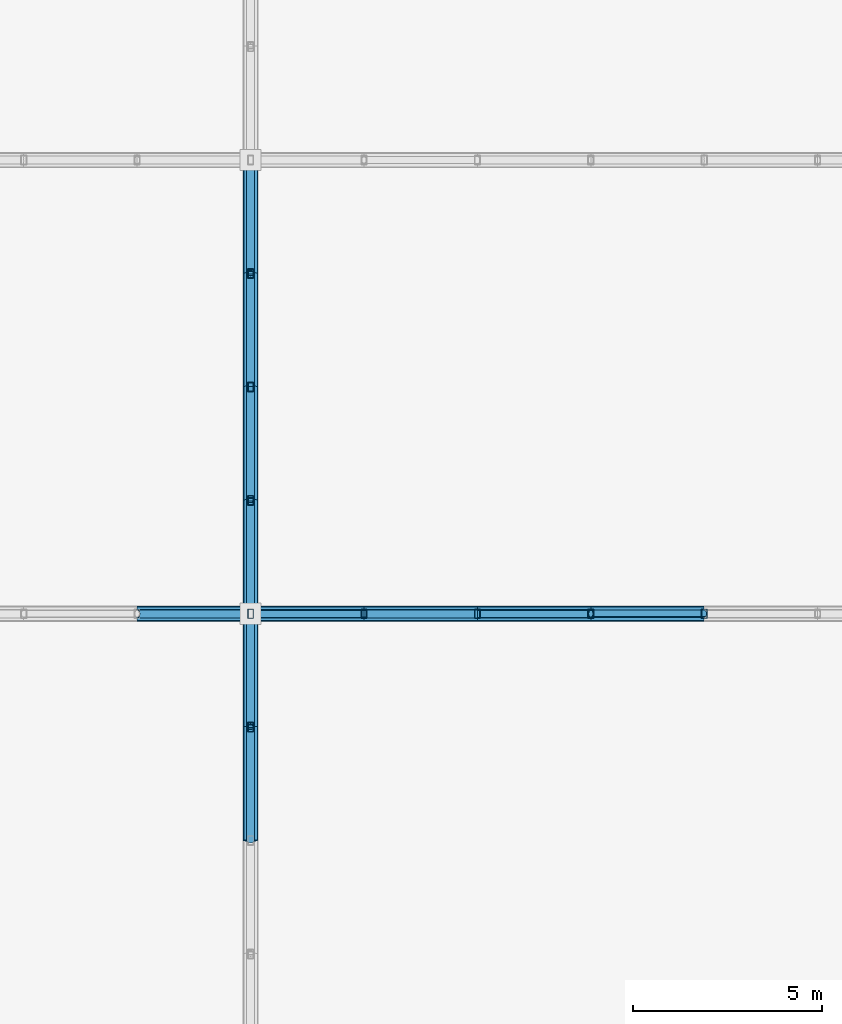
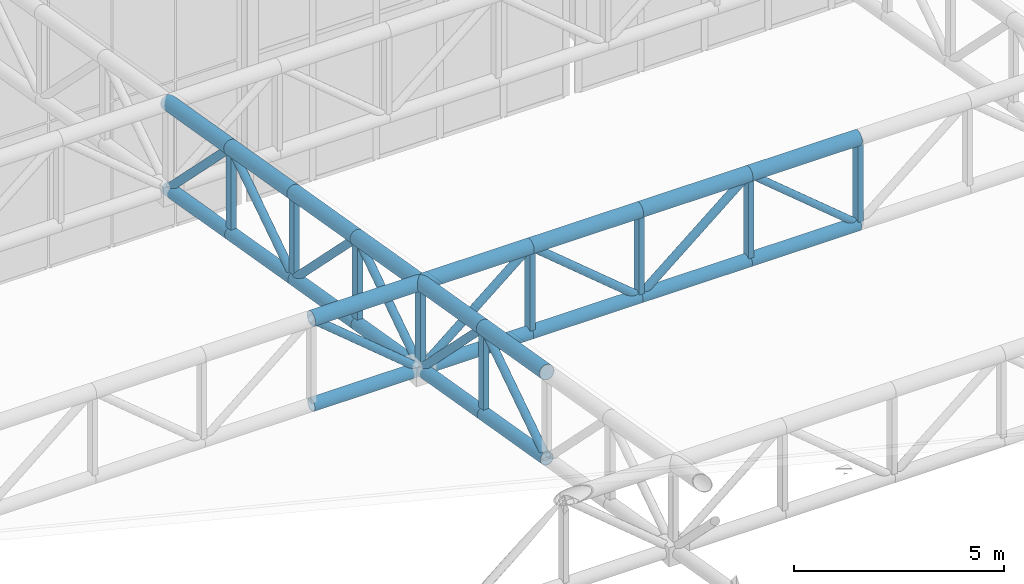
# One storey, part 99 of 239: 42 members.
"""IFC4 building model written with IfcOpenShell, lengths in metres."""

from ifc_helpers import new_model, si_unit, direction, frame, origin, origin_2d, place, context, subcontext, project, spatial, hollow_rectangle, hollow_circle, extrude, material, material_profile, profile_set, type_object, element, save


model = new_model("IFC4")

# Units and contexts
model_context = context("Model", 3, precision=1e-05, world=origin(), true_north=direction((0.0, 1.0)))
body_context = subcontext(model_context, "Body", "Model", "MODEL_VIEW")
ifc_project = project(units=[si_unit("LENGTHUNIT", "METRE"), si_unit("AREAUNIT", "SQUARE_METRE"), si_unit("VOLUMEUNIT", "CUBIC_METRE"), si_unit("PLANEANGLEUNIT", "RADIAN"), si_unit("MASSUNIT", "GRAM", prefix="KILO")], contexts=[model_context])

# Site, building, storey
site_placement = place(None, origin())
site = spatial("IfcSite", under=ifc_project, at=site_placement, CompositionType="ELEMENT")
building_placement = place(site_placement, origin())
building = spatial("IfcBuilding", under=site, at=building_placement, Name="Kaldris Quays Convention Centre", CompositionType="ELEMENT")
storey_placement = place(building_placement, frame((0.0, 0.0, 11.39990234375)))
storey = spatial("IfcBuildingStorey", under=building, at=storey_placement, Name="L02", CompositionType="ELEMENT", Elevation=11.39990234375)

# Members
ifc_material = material(Name="Steel S355J2H", Category="steel")
ifc_material_profile_1 = material_profile(ifc_material, hollow_circle(Radius=0.203125, WallThickness=0.01611328125, at=origin_2d()), Name="CHS 406.4x16")
ifc_profile_set_1 = profile_set([ifc_material_profile_1], Name="Steel S355J2H")
member_type_1 = type_object("IfcMemberType", Name="STRUCTURAL MEMBER SC01", PredefinedType="CHORD", material=ifc_profile_set_1)
for number, where, z_axis, x_axis, name in (
    (1, (35.0, 116.0, 13.7861328125), (1.0, 0.0, 0.0), (0.0, 1.0, 0.0), "SF-V1 Top Chord X 216"),
    (2, (38.0, 116.0, 13.7861328125), (1.0, 0.0, 0.0), (0.0, 1.0, 0.0), "SF-V1 Top Chord X 217"),
    (3, (41.0, 116.0, 13.7861328125), (1.0, 0.0, 0.0), (0.0, 1.0, 0.0), "SF-V1 Top Chord X 218"),
    (4, (44.0, 116.0, 13.7861328125), (1.0, 0.0, 0.0), (0.0, 1.0, 0.0), "SF-V1 Top Chord X 219"),
    (5, (47.0, 116.0, 13.7861328125), (1.0, 0.0, 0.0), (0.0, 1.0, 0.0), "SF-V1 Top Chord X 220"),
):
    element("IfcMember", number, at=place(storey_placement, frame(where, z_axis=z_axis, x_axis=x_axis)), inside=storey, type_object=member_type_1, Name=name, PredefinedType="CHORD", context=body_context, shape_type="SweptSolid", body=[
        extrude(hollow_circle(Radius=0.203125, WallThickness=0.01611328125, at=origin_2d()), origin(), (0.0, 0.0, 1.0), 3.0),
    ])
for number, where, z_axis, x_axis, name in (
    (6, (38.0, 110.0, 14.814697265625), (0.0, 0.98562912375, -0.168923741424), (-1.0, 0.0, 0.0), "SF-V1 Top Chord Y 383"),
    (7, (38.0, 113.0, 14.300537109375), (0.0, 0.985615766076, -0.169001661712), (-1.0, 0.0, 0.0), "SF-V1 Top Chord Y 384"),
    (8, (38.0, 116.0, 13.7861328125), (0.0, 0.98562912375, -0.168923741424), (-1.0, 0.0, 0.0), "SF-V1 Top Chord Y 385"),
    (9, (38.0, 119.0, 13.27197265625), (0.0, 0.985615766076, -0.169001661712), (-1.0, 0.0, 0.0), "SF-V1 Top Chord Y 386"),
    (10, (38.0, 122.0, 12.757568359375), (0.0, 0.98562912375, -0.168923741424), (-1.0, 0.0, 0.0), "SF-V1 Top Chord Y 387"),
    (11, (38.0, 125.0, 12.243408203125), (0.0, 0.985615766076, -0.169001661712), (-1.0, 0.0, 0.0), "SF-V1 Top Chord Y 388"),
):
    element("IfcMember", number, at=place(storey_placement, frame(where, z_axis=z_axis, x_axis=x_axis)), inside=storey, type_object=member_type_1, Name=name, PredefinedType="CHORD", context=body_context, shape_type="SweptSolid", body=[
        extrude(hollow_circle(Radius=0.203125, WallThickness=0.01611328125, at=origin_2d()), origin(), (0.0, 0.0, 1.0), 3.043701171875),
    ])
ifc_material_profile_2 = material_profile(ifc_material, hollow_circle(Radius=0.177734375, WallThickness=0.01611328125, at=origin_2d()), Name="CHS 355.6x16")
ifc_profile_set_2 = profile_set([ifc_material_profile_2], Name="Steel S355J2H")
member_type_2 = type_object("IfcMemberType", Name="STRUCTURAL MEMBER SC02", PredefinedType="CHORD", material=ifc_profile_set_2)
for number, where, z_axis, x_axis, name in (
    (12, (35.0, 116.0, 11.2861328125), (1.0, 0.0, 0.0), (0.0, 1.0, 0.0), "SF-V1 Bottom Chord X 216"),
    (13, (38.0, 116.0, 11.2861328125), (1.0, 0.0, 0.0), (0.0, 1.0, 0.0), "SF-V1 Bottom Chord X 217"),
    (14, (41.0, 116.0, 11.2861328125), (1.0, 0.0, 0.0), (0.0, 1.0, 0.0), "SF-V1 Bottom Chord X 218"),
    (15, (44.0, 116.0, 11.2861328125), (1.0, 0.0, 0.0), (0.0, 1.0, 0.0), "SF-V1 Bottom Chord X 219"),
    (16, (47.0, 116.0, 11.2861328125), (1.0, 0.0, 0.0), (0.0, 1.0, 0.0), "SF-V1 Bottom Chord X 220"),
):
    element("IfcMember", number, at=place(storey_placement, frame(where, z_axis=z_axis, x_axis=x_axis)), inside=storey, type_object=member_type_2, Name=name, PredefinedType="CHORD", context=body_context, shape_type="SweptSolid", body=[
        extrude(hollow_circle(Radius=0.177734375, WallThickness=0.01611328125, at=origin_2d()), origin(), (0.0, 0.0, 1.0), 3.0),
    ])
for number, where, z_axis, x_axis, name in (
    (17, (38.0, 110.0, 12.314697265625), (0.0, 0.98562912375, -0.168923741424), (-1.0, 0.0, 0.0), "SF-V1 Bottom Chord Y 383"),
    (18, (38.0, 113.0, 11.800537109375), (0.0, 0.985615766076, -0.169001661712), (-1.0, 0.0, 0.0), "SF-V1 Bottom Chord Y 384"),
    (19, (38.0, 116.0, 11.2861328125), (0.0, 0.98562912375, -0.168923741424), (-1.0, 0.0, 0.0), "SF-V1 Bottom Chord Y 385"),
    (20, (38.0, 119.0, 10.77197265625), (0.0, 0.985615766076, -0.169001661712), (-1.0, 0.0, 0.0), "SF-V1 Bottom Chord Y 386"),
    (21, (38.0, 122.0, 10.257568359375), (0.0, 0.98562912375, -0.168923741424), (-1.0, 0.0, 0.0), "SF-V1 Bottom Chord Y 387"),
    (22, (38.0, 125.0, 9.743408203125), (0.0, 0.985615766076, -0.169001661712), (-1.0, 0.0, 0.0), "SF-V1 Bottom Chord Y 388"),
):
    element("IfcMember", number, at=place(storey_placement, frame(where, z_axis=z_axis, x_axis=x_axis)), inside=storey, type_object=member_type_2, Name=name, PredefinedType="CHORD", context=body_context, shape_type="SweptSolid", body=[
        extrude(hollow_circle(Radius=0.177734375, WallThickness=0.01611328125, at=origin_2d()), origin(), (0.0, 0.0, 1.0), 3.043701171875),
    ])
ifc_material_profile_3 = material_profile(ifc_material, hollow_circle(Radius=0.109619140625, WallThickness=0.010009765625, at=origin_2d()), Name="CHS 219.1x10")
ifc_profile_set_3 = profile_set([ifc_material_profile_3], Name="Steel S355J2H")
member_type_3 = type_object("IfcMemberType", Name="STRUCTURAL MEMBER SWB1", PredefinedType="BRACE", material=ifc_profile_set_3)
for number, where, z_axis, x_axis, name in (
    (23, (38.0, 116.0, 11.2861328125), (-0.768221279597, 0.0, 0.640184399664), (0.0, -1.0, 0.0), "SF-V1 Web Diagonal X 216"),
    (24, (38.0, 116.0, 11.2861328125), (0.768221279597, 0.0, 0.640184399664), (0.0, 1.0, 0.0), "SF-V1 Web Diagonal X 217"),
    (25, (44.0, 116.0, 11.2861328125), (-0.768221279597, 0.0, 0.640184399664), (0.0, -1.0, 0.0), "SF-V1 Web Diagonal X 218"),
    (26, (44.0, 116.0, 11.2861328125), (0.768221279597, 0.0, 0.640184399664), (0.0, 1.0, 0.0), "SF-V1 Web Diagonal X 219"),
):
    element("IfcMember", number, at=place(storey_placement, frame(where, z_axis=z_axis, x_axis=x_axis)), inside=storey, type_object=member_type_3, Name=name, PredefinedType="BRACE", context=body_context, shape_type="SweptSolid", body=[
        extrude(hollow_circle(Radius=0.109619140625, WallThickness=0.010009765625, at=origin_2d()), origin(), (0.0, 0.0, 1.0), 3.905029296875),
    ])
member_1_placement = place(storey_placement, frame((38.0, 110.0, 12.314697265625), z_axis=(0.0, 0.833862389808, 0.551972385962), x_axis=(-1.0, 0.0, 0.0)))
element("IfcMember", 27, at=member_1_placement, inside=storey, type_object=member_type_3, Name="SF-V1 Web Diagonal Y 383", PredefinedType="BRACE", context=body_context, shape_type="SweptSolid", body=[
    extrude(hollow_circle(Radius=0.109619140625, WallThickness=0.010009765625, at=origin_2d()), origin(), (0.0, 0.0, 1.0), 3.59765625),
])
member_2_placement = place(storey_placement, frame((38.0, 116.0, 11.2861328125), z_axis=(0.0, -0.705411261057, 0.708798245465), x_axis=(1.0, 0.0, 0.0)))
element("IfcMember", 28, at=member_2_placement, inside=storey, type_object=member_type_3, Name="SF-V1 Web Diagonal Y 384", PredefinedType="BRACE", context=body_context, shape_type="SweptSolid", body=[
    extrude(hollow_circle(Radius=0.109619140625, WallThickness=0.010009765625, at=origin_2d()), origin(), (0.0, 0.0, 1.0), 4.2529296875),
])
member_3_placement = place(storey_placement, frame((38.0, 116.0, 11.2861328125), z_axis=(0.0, 0.833862389808, 0.551972385962), x_axis=(-1.0, 0.0, 0.0)))
element("IfcMember", 29, at=member_3_placement, inside=storey, type_object=member_type_3, Name="SF-V1 Web Diagonal Y 385", PredefinedType="BRACE", context=body_context, shape_type="SweptSolid", body=[
    extrude(hollow_circle(Radius=0.109619140625, WallThickness=0.010009765625, at=origin_2d()), origin(), (0.0, 0.0, 1.0), 3.59765625),
])
member_4_placement = place(storey_placement, frame((38.0, 122.0, 10.257568359375), z_axis=(0.0, -0.705411261057, 0.708798245465), x_axis=(1.0, 0.0, 0.0)))
element("IfcMember", 30, at=member_4_placement, inside=storey, type_object=member_type_3, Name="SF-V1 Web Diagonal Y 386", PredefinedType="BRACE", context=body_context, shape_type="SweptSolid", body=[
    extrude(hollow_circle(Radius=0.109619140625, WallThickness=0.010009765625, at=origin_2d()), origin(), (0.0, 0.0, 1.0), 4.2529296875),
])
member_5_placement = place(storey_placement, frame((38.0, 122.0, 10.257568359375), z_axis=(0.0, 0.833862389808, 0.551972385962), x_axis=(-1.0, 0.0, 0.0)))
element("IfcMember", 31, at=member_5_placement, inside=storey, type_object=member_type_3, Name="SF-V1 Web Diagonal Y 387", PredefinedType="BRACE", context=body_context, shape_type="SweptSolid", body=[
    extrude(hollow_circle(Radius=0.109619140625, WallThickness=0.010009765625, at=origin_2d()), origin(), (0.0, 0.0, 1.0), 3.59765625),
])
member_6_placement = place(storey_placement, frame((38.0, 128.0, 9.22900390625), z_axis=(0.0, -0.705411261057, 0.708798245465), x_axis=(1.0, 0.0, 0.0)))
element("IfcMember", 32, at=member_6_placement, inside=storey, type_object=member_type_3, Name="SF-V1 Web Diagonal Y 388", PredefinedType="BRACE", context=body_context, shape_type="SweptSolid", body=[
    extrude(hollow_circle(Radius=0.109619140625, WallThickness=0.010009765625, at=origin_2d()), origin(), (0.0, 0.0, 1.0), 4.2529296875),
])
ifc_material_profile_4 = material_profile(ifc_material, hollow_circle(Radius=0.096923828125, WallThickness=0.008056640625, at=origin_2d()), Name="CHS 193.7x8")
ifc_profile_set_4 = profile_set([ifc_material_profile_4], Name="Steel S355J2H")
member_type_4 = type_object("IfcMemberType", Name="STRUCTURAL MEMBER SWB3", PredefinedType="BRACE", material=ifc_profile_set_4)
member_7_placement = place(storey_placement, frame((50.0, 116.0, 11.2861328125), z_axis=(-0.768221279597, 0.0, 0.640184399664), x_axis=(0.0, -1.0, 0.0)))
element("IfcMember", 33, at=member_7_placement, inside=storey, type_object=member_type_4, Name="SF-V1 Web Diagonal X 220", PredefinedType="BRACE", context=body_context, shape_type="SweptSolid", body=[
    extrude(hollow_circle(Radius=0.096923828125, WallThickness=0.008056640625, at=origin_2d()), origin(), (0.0, 0.0, 1.0), 3.905029296875),
])
ifc_material_profile_5 = material_profile(ifc_material, hollow_rectangle(XDim=0.14990234375, YDim=0.25, WallThickness=0.010009765625, at=origin_2d()), Name="RHS 250x150x10")
ifc_profile_set_5 = profile_set([ifc_material_profile_5], Name="Steel S355J2H")
member_type_5 = type_object("IfcMemberType", Name="STRUCTURAL MEMBER TTV1", PredefinedType="POST", material=ifc_profile_set_5)
for number, where, z_axis, x_axis, name in (
    (34, (38.0, 113.0, 11.800537109375), (0.0, 0.0, 1.0), (1.0, 0.0, 0.0), "SF-V1 Space-Frame Post 89"),
    (35, (38.0, 116.0, 11.2861328125), (0.0, 0.0, 1.0), (1.0, 0.0, 0.0), "SF-V1 Space-Frame Post 90"),
    (36, (38.0, 119.0, 10.77197265625), (0.0, 0.0, 1.0), (1.0, 0.0, 0.0), "SF-V1 Space-Frame Post 91"),
    (37, (38.0, 122.0, 10.257568359375), (0.0, 0.0, 1.0), (1.0, 0.0, 0.0), "SF-V1 Space-Frame Post 92"),
    (38, (38.0, 125.0, 9.743408203125), (0.0, 0.0, 1.0), (1.0, 0.0, 0.0), "SF-V1 Space-Frame Post 93"),
    (39, (41.0, 116.0, 11.2861328125), (0.0, 0.0, 1.0), (1.0, 0.0, 0.0), "SF-V1 Space-Frame Post 104"),
    (40, (44.0, 116.0, 11.2861328125), (0.0, 0.0, 1.0), (1.0, 0.0, 0.0), "SF-V1 Space-Frame Post 112"),
    (41, (47.0, 116.0, 11.2861328125), (0.0, 0.0, 1.0), (1.0, 0.0, 0.0), "SF-V1 Space-Frame Post 120"),
    (42, (50.0, 116.0, 11.2861328125), (0.0, 0.0, 1.0), (1.0, 0.0, 0.0), "SF-V1 Space-Frame Post 128"),
):
    element("IfcMember", number, at=place(storey_placement, frame(where, z_axis=z_axis, x_axis=x_axis)), inside=storey, type_object=member_type_5, Name=name, PredefinedType="POST", context=body_context, shape_type="SweptSolid", body=[
        extrude(hollow_rectangle(XDim=0.14990234375, YDim=0.25, WallThickness=0.010009765625, at=origin_2d()), origin(), (0.0, 0.0, 1.0), 2.5),
    ])

save(model, "model.ifc")
